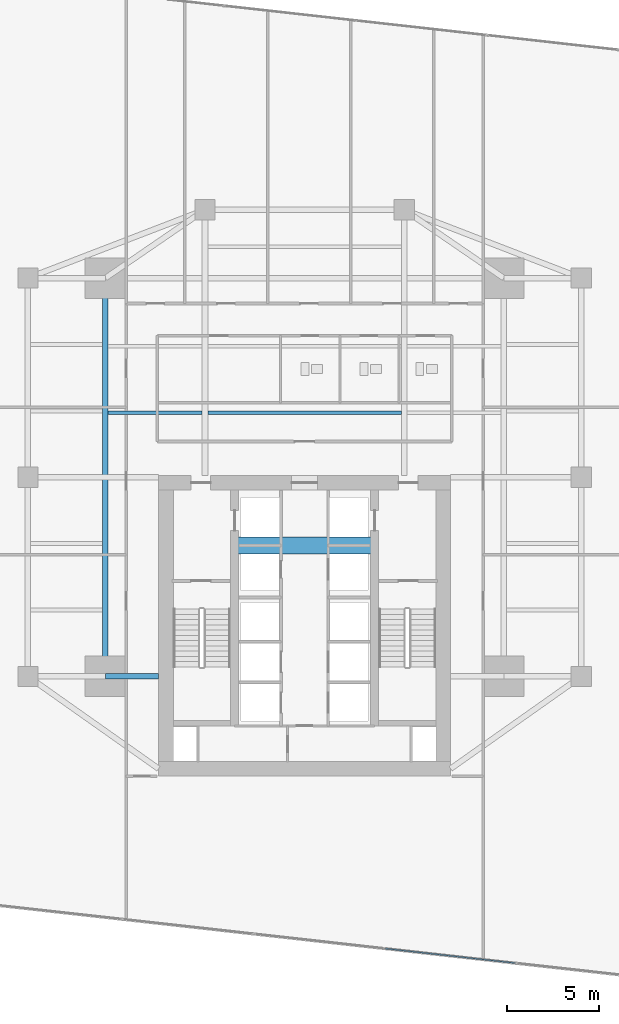
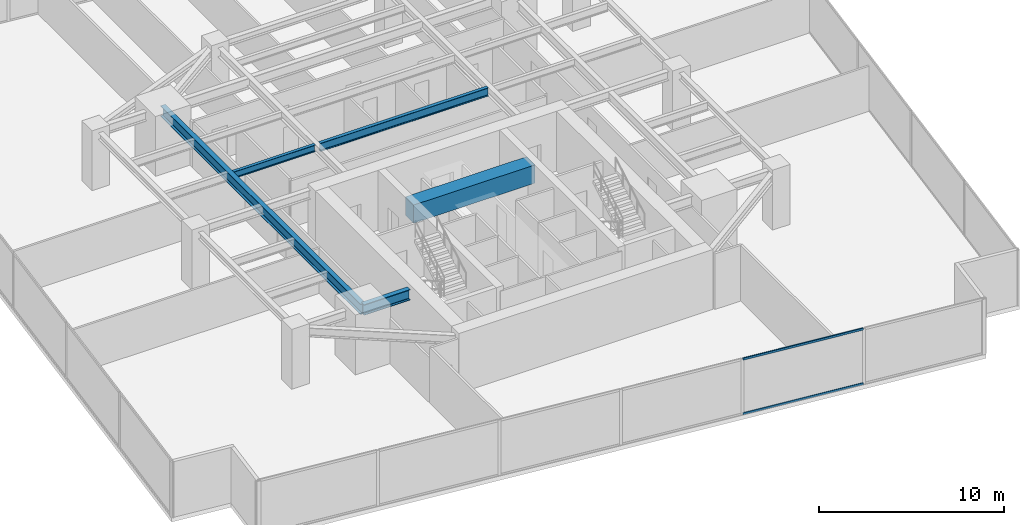
# One storey, part 9 of 28: 5 beams, 2 members, 1 element without a shape of its own.
"""IFC4 building model written with IfcOpenShell, lengths in metres."""

from ifc_helpers import new_model, si_unit, direction, frame, origin, origin_2d, place, context, subcontext, project, spatial, rectangle, hollow_rectangle, i_section, extrude, source, transform, mapped, material, material_profile, profile_set, type_object, type_shapes, element, aggregate, save


model = new_model("IFC4")

# Units and contexts
model_context = context("Model", 3, precision=1e-05, world=origin(), true_north=direction((0.0, 1.0)))
body_context = subcontext(model_context, "Body", "Model", "MODEL_VIEW")
ifc_project = project(units=[si_unit("LENGTHUNIT", "METRE"), si_unit("AREAUNIT", "SQUARE_METRE"), si_unit("VOLUMEUNIT", "CUBIC_METRE"), si_unit("PLANEANGLEUNIT", "RADIAN"), si_unit("MASSUNIT", "GRAM", prefix="KILO")], contexts=[model_context])

# Site, building, storey
site_placement = place(None, origin())
site = spatial("IfcSite", under=ifc_project, at=site_placement, CompositionType="ELEMENT")
building_placement = place(site_placement, origin())
building = spatial("IfcBuilding", under=site, at=building_placement, Name="Krantzveldt Concourse Tower", CompositionType="ELEMENT")
storey_placement = place(building_placement, frame((0.0, 0.0, 64.5)))
storey = spatial("IfcBuildingStorey", under=building, at=storey_placement, Name="L15", CompositionType="ELEMENT", Elevation=64.5)

# Beams
ifc_material_1 = material(Name="Concrete C50/60", Category="concrete")
ifc_material_profile_1 = material_profile(ifc_material_1, rectangle(XDim=0.89990234375, YDim=1.199951171875, at=origin_2d()), Name="Concrete C50/60", Category="concrete")
ifc_profile_set_1 = profile_set([ifc_material_profile_1], Name="Concrete C50/60 - RC-CB 900x1200")
beam_type_1 = type_object("IfcBeamType", Name="BM-CB-1200", PredefinedType="LINTEL", material=ifc_profile_set_1)
shared_shape_1 = source(origin(), body_context, "Body", "SweptSolid", [
    extrude(rectangle(XDim=0.89990234375, YDim=1.199951171875, at=origin_2d()), origin(), (0.0, 0.0, 1.0), 7.580078125),
])
type_shapes(beam_type_1, [shared_shape_1])
beam_1_placement = place(storey_placement, frame((32.2099609375, 23.0, 3.070068359375), z_axis=(1.0, 0.0, 0.0), x_axis=(0.0, 1.0, 0.0)))
element("IfcBeam", 1, at=beam_1_placement, inside=storey, type_object=beam_type_1, Name="CB-L15-01", PredefinedType="LINTEL", context=body_context, shape_type="MappedRepresentation", body=[
    mapped(shared_shape_1, transform((0.0, 0.0, 0.0), x_axis=(1.0, 0.0, 0.0), y_axis=(0.0, 1.0, 0.0), z_axis=(0.0, 0.0, 1.0), scale=1.0)),
])
ifc_material_2 = material(Name="Steel S355J2", Category="steel")
ifc_material_profile_2 = material_profile(ifc_material_2, i_section(OverallWidth=0.300048828125, OverallDepth=0.699951171875, WebThickness=0.01708984375, FlangeThickness=0.031982421875, FilletRadius=0.027099609375, at=origin_2d()), Name="Steel S355J2", Category="steel")
ifc_profile_set_2 = profile_set([ifc_material_profile_2], Name="Steel S355J2 - HEB 700")
beam_type_2 = type_object("IfcBeamType", Name="BM-B-HEB700", PredefinedType="BEAM", material=ifc_profile_set_2)
shared_shape_2 = source(origin(), body_context, "Body", "SweptSolid", [
    extrude(i_section(OverallWidth=0.300048828125, OverallDepth=0.699951171875, WebThickness=0.01708984375, FlangeThickness=0.031982421875, FilletRadius=0.027099609375, at=origin_2d()), origin(), (0.0, 0.0, 1.0), 2.880126953125),
])
beam_2_placement = place(storey_placement, frame((25.199951171875, 15.89990234375, 3.320068359375), z_axis=(1.0, 0.0, 0.0), x_axis=(0.0, 1.0, 0.0)))
element("IfcBeam", 2, at=beam_2_placement, inside=storey, type_object=beam_type_2, Name="L15 Tower Girder BG-CW1", PredefinedType="BEAM", context=body_context, shape_type="MappedRepresentation", body=[
    mapped(shared_shape_2, transform((0.0, 0.0, 0.0), x_axis=(1.0, 0.0, 0.0), y_axis=(0.0, 1.0, 0.0), z_axis=(0.0, 0.0, 1.0), scale=1.0)),
])
shared_shape_3 = source(origin(), body_context, "Body", "SweptSolid", [
    extrude(i_section(OverallWidth=0.300048828125, OverallDepth=0.699951171875, WebThickness=0.01708984375, FlangeThickness=0.031982421875, FilletRadius=0.027099609375, at=origin_2d()), origin(), (0.0, 0.0, 1.0), 21.60009765625),
])
type_shapes(beam_type_2, [shared_shape_2, shared_shape_3])
beam_3_placement = place(storey_placement, frame((25.199951171875, 15.89990234375, 3.320068359375), z_axis=(0.0, 1.0, 0.0), x_axis=(-1.0, 0.0, 0.0)))
element("IfcBeam", 3, at=beam_3_placement, inside=storey, type_object=beam_type_2, Name="L15 Tower Girder BG-MW", PredefinedType="BEAM", context=body_context, shape_type="MappedRepresentation", body=[
    mapped(shared_shape_3, transform((0.0, 0.0, 0.0), x_axis=(1.0, 0.0, 0.0), y_axis=(0.0, 1.0, 0.0), z_axis=(0.0, 0.0, 1.0), scale=1.0)),
])
ifc_material_3 = material(Name="Steel S355JR", Category="steel")
ifc_material_profile_3 = material_profile(ifc_material_3, i_section(OverallWidth=0.2099609375, OverallDepth=0.550048828125, WebThickness=0.010986328125, FlangeThickness=0.01708984375, FilletRadius=0.02392578125, at=origin_2d()), Name="Steel S355JR", Category="steel")
ifc_profile_set_3 = profile_set([ifc_material_profile_3], Name="Steel S355JR - IPE 550")
beam_type_3 = type_object("IfcBeamType", Name="BM-J-IPE550", PredefinedType="JOIST", material=ifc_profile_set_3)
shared_shape_4 = source(origin(), body_context, "Body", "SweptSolid", [
    extrude(i_section(OverallWidth=0.2099609375, OverallDepth=0.550048828125, WebThickness=0.010986328125, FlangeThickness=0.01708984375, FilletRadius=0.02392578125, at=origin_2d()), origin(), (0.0, 0.0, 1.0), 10.5),
])
type_shapes(beam_type_3, [shared_shape_4])
beam_4_placement = place(storey_placement, frame((30.75, 30.199951171875, 3.39501953125), z_axis=(1.0, 0.0, 0.0), x_axis=(0.0, 1.0, 0.0)))
element("IfcBeam", 4, at=beam_4_placement, inside=storey, type_object=beam_type_3, Name="L15 Secondary Floor Joist JN-C1", PredefinedType="JOIST", context=body_context, shape_type="MappedRepresentation", body=[
    mapped(shared_shape_4, transform((0.0, 0.0, 0.0), x_axis=(1.0, 0.0, 0.0), y_axis=(0.0, 1.0, 0.0), z_axis=(0.0, 0.0, 1.0), scale=1.0)),
])
ifc_material_profile_4 = material_profile(ifc_material_3, i_section(OverallWidth=0.18994140625, OverallDepth=0.449951171875, WebThickness=0.009521484375, FlangeThickness=0.0146484375, FilletRadius=0.02099609375, at=origin_2d()), Name="Steel S355JR", Category="steel")
ifc_profile_set_4 = profile_set([ifc_material_profile_4], Name="Steel S355JR - IPE 450")
beam_type_4 = type_object("IfcBeamType", Name="BM-J-IPE450", PredefinedType="JOIST", material=ifc_profile_set_4)
shared_shape_5 = source(origin(), body_context, "Body", "SweptSolid", [
    extrude(i_section(OverallWidth=0.18994140625, OverallDepth=0.449951171875, WebThickness=0.009521484375, FlangeThickness=0.0146484375, FilletRadius=0.02099609375, at=origin_2d()), origin(), (0.0, 0.0, 1.0), 5.099853515625),
])
type_shapes(beam_type_4, [shared_shape_5])
beam_5_placement = place(storey_placement, frame((25.35009765625, 30.199951171875, 3.445068359375), z_axis=(1.0, 0.0, 0.0), x_axis=(0.0, 1.0, 0.0)))
element("IfcBeam", 5, at=beam_5_placement, inside=storey, type_object=beam_type_4, Name="L15 Secondary Floor Joist JN-W1", PredefinedType="JOIST", context=body_context, shape_type="MappedRepresentation", body=[
    mapped(shared_shape_5, transform((0.0, 0.0, 0.0), x_axis=(1.0, 0.0, 0.0), y_axis=(0.0, 1.0, 0.0), z_axis=(0.0, 0.0, 1.0), scale=1.0)),
])

# Curtain wall, members
ifc_material_4 = material(Name="Anodised aluminium 6063-T6", Category="aluminium")
curtain_wall_type = type_object("IfcCurtainWallType", Name="CW2", PredefinedType="USERDEFINED", material=ifc_material_4)
curtain_wall_placement = place(storey_placement, origin())
curtain_wall = element("IfcCurtainWall", 6, at=curtain_wall_placement, inside=storey, type_object=curtain_wall_type, Name="CW-L15-F04", ObjectType="UNITISED CURTAIN WALL", PredefinedType="USERDEFINED")
ifc_material_profile_5 = material_profile(ifc_material_4, hollow_rectangle(XDim=0.070068359375, YDim=0.139892578125, WallThickness=0.0048828125, at=origin_2d()), Name="Anodised aluminium 6063-T6", Category="aluminium")
ifc_profile_set_5 = profile_set([ifc_material_profile_5], Name="Anodised aluminium 6063-T6 - ALU-TRAN 140x70x5")
member_type = type_object("IfcMemberType", Name="CW-TRN-150", PredefinedType="USERDEFINED", material=ifc_profile_set_5)
shared_shape_6 = source(origin(), body_context, "Body", "SweptSolid", [
    extrude(hollow_rectangle(XDim=0.070068359375, YDim=0.139892578125, WallThickness=0.0048828125, at=origin_2d()), origin(), (0.0, 0.0, 1.0), 7.0966796875),
])
type_shapes(member_type, [shared_shape_6])
member_1_placement = place(storey_placement, frame((40.391357421875, 1.144287109375, 0.034912109375), z_axis=(0.993818533296, -0.111016768449, 0.0), x_axis=(0.111016768449, 0.993818533296, 0.0)))
member_1 = element("IfcMember", 7, at=member_1_placement, type_object=member_type, Name="CW-Z12 transom 5.1", ObjectType="TRANSOM", PredefinedType="USERDEFINED", context=body_context, shape_type="MappedRepresentation", body=[
    mapped(shared_shape_6, transform((0.0, 0.0, 0.0), x_axis=(1.0, 0.0, 0.0), y_axis=(0.0, 1.0, 0.0), z_axis=(0.0, 0.0, 1.0), scale=1.0)),
])
member_2_placement = place(storey_placement, frame((40.391357421875, 1.144287109375, 3.635009765625), z_axis=(0.993818533296, -0.111016768449, 0.0), x_axis=(0.111016768449, 0.993818533296, 0.0)))
member_2 = element("IfcMember", 8, at=member_2_placement, type_object=member_type, Name="CW-Z12 transom 5.2", ObjectType="TRANSOM", PredefinedType="USERDEFINED", context=body_context, shape_type="MappedRepresentation", body=[
    mapped(shared_shape_6, transform((0.0, 0.0, 0.0), x_axis=(1.0, 0.0, 0.0), y_axis=(0.0, 1.0, 0.0), z_axis=(0.0, 0.0, 1.0), scale=1.0)),
])
aggregate(curtain_wall, [member_1, member_2])

save(model, "model.ifc")
